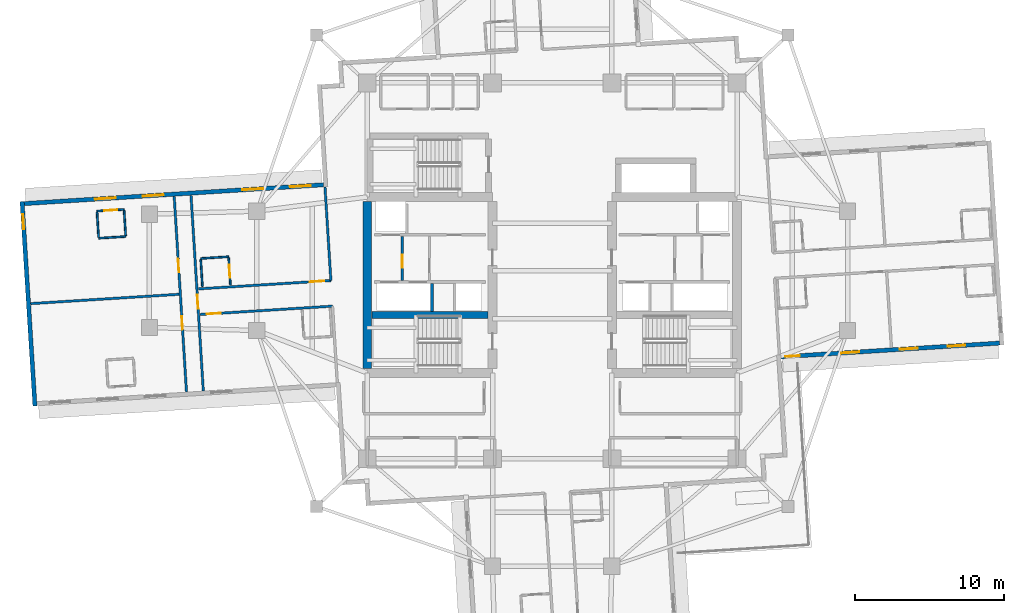
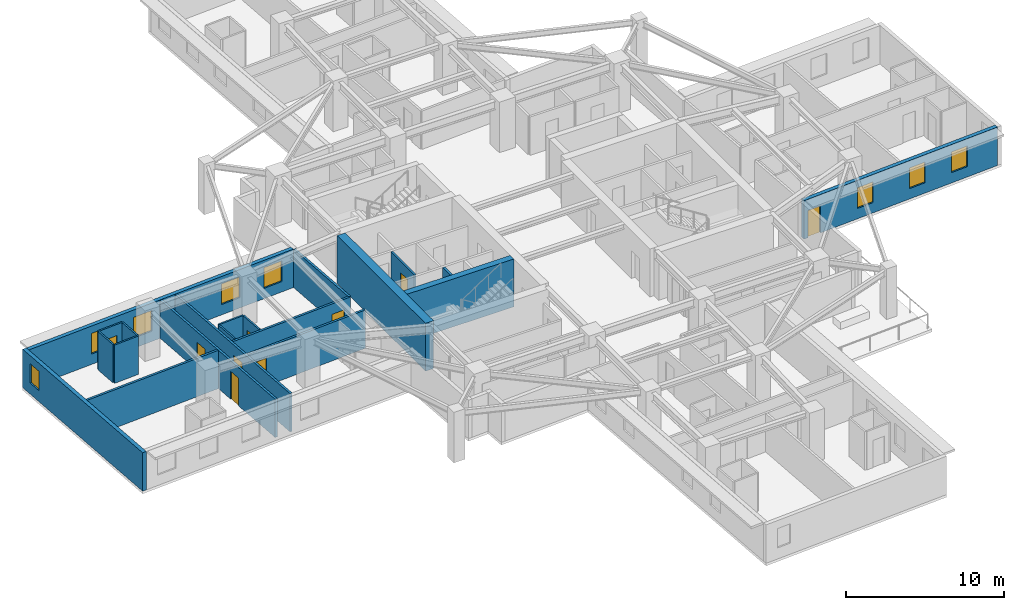
# One storey, part 5 of 14: 20 walls, 9 doors, 8 windows, 17 openings.
"""IFC4 building model written with IfcOpenShell, lengths in metres."""

from ifc_helpers import new_model, si_unit, direction, frame, frame_2d, origin, place, context, subcontext, project, spatial, rectangle, extrude, material, layer, layer_set, type_object, element, fill, save


model = new_model("IFC4")

# Units and contexts
model_context = context("Model", 3, precision=1e-05, world=origin(), true_north=direction((0.0, 1.0)))
body_context = subcontext(model_context, "Body", "Model", "MODEL_VIEW")
ifc_project = project(units=[si_unit("LENGTHUNIT", "METRE"), si_unit("AREAUNIT", "SQUARE_METRE"), si_unit("VOLUMEUNIT", "CUBIC_METRE"), si_unit("PLANEANGLEUNIT", "RADIAN"), si_unit("MASSUNIT", "GRAM", prefix="KILO")], contexts=[model_context])

# Site, building, storey
site_placement = place(None, origin())
site = spatial("IfcSite", under=ifc_project, at=site_placement, CompositionType="ELEMENT")
building_placement = place(site_placement, origin())
building = spatial("IfcBuilding", under=site, at=building_placement, Name="Qingluan Cross Belvedere", CompositionType="ELEMENT")
storey_placement = place(building_placement, frame((0.0, 0.0, 120.300048828125)))
storey = spatial("IfcBuildingStorey", under=building, at=storey_placement, Name="L30", CompositionType="ELEMENT", Elevation=120.300048828125)

# Walls
ifc_material_1 = material(Name="Concrete C50", Category="concrete")
ifc_layer_1 = layer(ifc_material_1, 0.449951171875, Name="CoreShearWall_450")
ifc_layer_set_1 = layer_set([ifc_layer_1], Name="Concrete C50")
wall_type_1 = type_object("IfcWallType", Name="CoreShearWall_450", PredefinedType="SHEAR", material=ifc_layer_set_1)
wall_1_placement = place(storey_placement, frame((-12.094970703125, -2.9599609375, 0.0), z_axis=(0.0, 0.0, 1.0), x_axis=(1.0, 0.0, 0.0)))
element("IfcWall", 1, at=wall_1_placement, inside=storey, type_object=wall_type_1, Name="Split core W shear wall L30-M", PredefinedType="SHEAR", context=body_context, shape_type="SweptSolid", body=[
    extrude(rectangle(XDim=7.7900390625, YDim=0.449951171875, at=frame_2d((3.89501953125, 0.0))), origin(), (0.0, 0.0, 1.0), 3.699951171875),
])
ifc_material_2 = material(Name="Concrete C60", Category="concrete")
ifc_layer_2 = layer(ifc_material_2, 0.60009765625, Name="CoreShearWall_600")
ifc_layer_set_2 = layer_set([ifc_layer_2], Name="Concrete C60")
wall_type_2 = type_object("IfcWallType", Name="CoreShearWall_600", PredefinedType="SHEAR", material=ifc_layer_set_2)
wall_2_placement = place(storey_placement, frame((-12.39990234375, -6.544921875, 0.0), z_axis=(0.0, 0.0, 1.0), x_axis=(0.0, 1.0, 0.0)))
element("IfcWall", 2, at=wall_2_placement, inside=storey, type_object=wall_type_2, Name="Split core W shear wall L30-W", PredefinedType="SHEAR", context=body_context, shape_type="SweptSolid", body=[
    extrude(rectangle(XDim=11.18994140625, YDim=0.60009765625, at=frame_2d((5.594970703125, 0.0))), origin(), (0.0, 0.0, 1.0), 3.699951171875),
])

# Wall, opening, door
ifc_material_3 = material(Name="Gypsum plasterboard on steel stud acoustic partition", Category="steel")
ifc_layer_3 = layer(ifc_material_3, 0.159912109375, Name="CorridorPartition_160")
ifc_layer_set_3 = layer_set([ifc_layer_3], Name="Gypsum plasterboard on steel stud acoustic partition")
wall_type_3 = type_object("IfcWallType", Name="CorridorPartition_160", PredefinedType="PARTITIONING", material=ifc_layer_set_3)
wall_3_placement = place(storey_placement, frame((-10.050048828125, -0.652099609375, 0.0), z_axis=(0.0, 0.0, 1.0), x_axis=(0.0, 1.0, 0.0)))
wall_3 = element("IfcWall", 3, at=wall_3_placement, inside=storey, type_object=wall_type_3, Name="Partition L30:wv", PredefinedType="PARTITIONING", context=body_context, shape_type="SweptSolid", body=[
    extrude(rectangle(XDim=2.962158203125, YDim=0.139892578125, at=frame_2d((1.48095703125, 0.0))), origin(), (0.0, 0.0, 1.0), 2.9599609375),
])
opening_1_placement = place(wall_3_placement, frame((0.85009765625, 0.0, 0.0)))
opening_1 = element("IfcOpeningElement", 4, at=opening_1_placement, cuts=wall_3, Name="Opening FD-B10", PredefinedType="OPENING", context=body_context, shape_type="SweptSolid", body=[
    extrude(rectangle(XDim=0.8798828125, YDim=2.10009765625, at=frame_2d((0.43994140625, 1.050048828125))), frame((0.0, 0.079833984375, 0.0), z_axis=(0.0, -1.0, 0.0), x_axis=(1.0, 0.0, 0.0)), (0.0, 0.0, 1.0), 0.159912109375),
])
ifc_material_4 = material(Name="Steel Class B service fire door", Category="steel")
door_type_1 = type_object("IfcDoorType", Name="RiserServiceFireDoor_FDB", OperationType="NOTDEFINED", PredefinedType="DOOR", material=ifc_material_4)
door_1_placement = place(opening_1_placement, origin())
door_1 = element("IfcDoor", 5, at=door_1_placement, inside=storey, type_object=door_type_1, Name="Service closet inner door L30", OperationType="SINGLE_SWING_LEFT", OverallHeight=2.10009765625, OverallWidth=0.8798828125, PredefinedType="DOOR", context=body_context, shape_type="SweptSolid", body=[
    extrude(rectangle(XDim=0.8798828125, YDim=2.10009765625, at=frame_2d((0.43994140625, 1.050048828125))), frame((0.0, 0.02490234375, 0.0), z_axis=(0.0, -1.0, 0.0), x_axis=(1.0, 0.0, 0.0)), (0.0, 0.0, 1.0), 0.050048828125),
])
fill(opening_1, door_1)

wall_4_placement = place(storey_placement, frame((-14.83837890625, -0.653076171875, 0.0), z_axis=(0.0, 0.0, 1.0), x_axis=(-0.998026662113, -0.062791573569, 0.0)))
wall_4 = element("IfcWall", 6, at=wall_4_placement, inside=storey, type_object=wall_type_3, Name="Partition L30:W:c0", PredefinedType="PARTITIONING", context=body_context, shape_type="SweptSolid", body=[
    extrude(rectangle(XDim=8.89990234375, YDim=0.159912109375, at=frame_2d((4.449951171875, 0.0))), origin(), (0.0, 0.0, 1.0), 2.9599609375),
])
opening_2_placement = place(wall_4_placement, frame((0.449951171875, 0.0, 0.0)))
opening_2 = element("IfcOpeningElement", 7, at=opening_2_placement, cuts=wall_4, Name="Opening GD-10", PredefinedType="OPENING", context=body_context, shape_type="SweptSolid", body=[
    extrude(rectangle(XDim=0.9599609375, YDim=2.14990234375, at=frame_2d((0.47998046875, 1.074951171875))), frame((0.0, 0.08984375, 0.0), z_axis=(0.0, -1.0, 0.0), x_axis=(1.0, 0.0, 0.0)), (0.0, 0.0, 1.0), 0.179931640625),
])
ifc_material_5 = material(Name="Timber oak fire-rated acoustic guestroom door", Category="wood")
door_type_2 = type_object("IfcDoorType", Name="GuestEntryDoor_FD60", OperationType="NOTDEFINED", PredefinedType="DOOR", material=ifc_material_5)
door_2_placement = place(opening_2_placement, origin())
door_2 = element("IfcDoor", 8, at=door_2_placement, inside=storey, type_object=door_type_2, Name="Guest entry fire door 3005", OperationType="SINGLE_SWING_RIGHT", OverallHeight=2.14990234375, OverallWidth=0.9599609375, PredefinedType="DOOR", context=body_context, shape_type="SweptSolid", body=[
    extrude(rectangle(XDim=0.9599609375, YDim=2.14990234375, at=frame_2d((0.47998046875, 1.074951171875))), frame((0.0, 0.02490234375, 0.0), z_axis=(0.0, -1.0, 0.0), x_axis=(1.0, 0.0, 0.0)), (0.0, 0.0, 1.0), 0.050048828125),
])
fill(opening_2, door_2)

# Wall
wall_5_placement = place(storey_placement, frame((-14.83837890625, -0.653076171875, 0.0), z_axis=(0.0, 0.0, 1.0), x_axis=(-0.062779270337, 0.998027436104, 0.0)))
element("IfcWall", 9, at=wall_5_placement, inside=storey, type_object=wall_type_3, Name="Partition L30:W:s0", PredefinedType="PARTITIONING", context=body_context, shape_type="SweptSolid", body=[
    extrude(rectangle(XDim=6.292236328125, YDim=0.159912109375, at=frame_2d((3.14599609375, 0.0))), origin(), (0.0, 0.0, 1.0), 2.9599609375),
])

# Wall, opening, door
wall_6_placement = place(storey_placement, frame((-14.730224609375, -2.36962890625, 0.0), z_axis=(0.0, 0.0, 1.0), x_axis=(-0.998026770267, -0.062789854524, 0.0)))
wall_6 = element("IfcWall", 10, at=wall_6_placement, inside=storey, type_object=wall_type_3, Name="Partition L30:W:c1", PredefinedType="PARTITIONING", context=body_context, shape_type="SweptSolid", body=[
    extrude(rectangle(XDim=8.900146484375, YDim=0.159912109375, at=frame_2d((4.4501953125, 0.0))), origin(), (0.0, 0.0, 1.0), 2.9599609375),
])
opening_3_placement = place(wall_6_placement, frame((7.5, 0.0, 0.0)))
opening_3 = element("IfcOpeningElement", 11, at=opening_3_placement, cuts=wall_6, Name="Opening GD-10", PredefinedType="OPENING", context=body_context, shape_type="SweptSolid", body=[
    extrude(rectangle(XDim=0.9599609375, YDim=2.14990234375, at=frame_2d((0.47998046875, 1.074951171875))), frame((0.0, 0.08984375, 0.0), z_axis=(0.0, -1.0, 0.0), x_axis=(1.0, 0.0, 0.0)), (0.0, 0.0, 1.0), 0.179931640625),
])
door_3_placement = place(opening_3_placement, origin())
door_3 = element("IfcDoor", 12, at=door_3_placement, inside=storey, type_object=door_type_2, Name="Guest entry fire door 3006", OperationType="SINGLE_SWING_RIGHT", OverallHeight=2.14990234375, OverallWidth=0.9599609375, PredefinedType="DOOR", context=body_context, shape_type="SweptSolid", body=[
    extrude(rectangle(XDim=0.9599609375, YDim=2.14990234375, at=frame_2d((0.47998046875, 1.074951171875))), frame((0.0, 0.02490234375, 0.0), z_axis=(0.0, -1.0, 0.0), x_axis=(1.0, 0.0, 0.0)), (0.0, 0.0, 1.0), 0.050048828125),
])
fill(opening_3, door_3)

wall_7_placement = place(storey_placement, frame((-23.390380859375, -8.056640625, 0.0), z_axis=(0.0, 0.0, 1.0), x_axis=(-0.062781861182, 0.998027273128, 0.0)))
wall_7 = element("IfcWall", 13, at=wall_7_placement, inside=storey, type_object=wall_type_3, Name="Partition L30:Wcap:in", PredefinedType="PARTITIONING", context=body_context, shape_type="SweptSolid", body=[
    extrude(rectangle(XDim=13.143798828125, YDim=0.159912109375, at=frame_2d((6.57177734375, 0.0))), origin(), (0.0, 0.0, 1.0), 2.9599609375),
])
opening_4_placement = place(wall_7_placement, frame((5.511962890625, 0.0, 0.0)))
opening_4 = element("IfcOpeningElement", 14, at=opening_4_placement, cuts=wall_7, Name="Opening GD-10", PredefinedType="OPENING", context=body_context, shape_type="SweptSolid", body=[
    extrude(rectangle(XDim=0.9599609375, YDim=2.14990234375, at=frame_2d((0.47998046875, 1.074951171875))), frame((0.0, 0.08984375, 0.0), z_axis=(0.0, -1.0, 0.0), x_axis=(1.0, 0.0, 0.0)), (0.0, 0.0, 1.0), 0.179931640625),
])
door_4_placement = place(opening_4_placement, origin())
door_4 = element("IfcDoor", 15, at=door_4_placement, inside=storey, type_object=door_type_2, Name="Corner gallery fire door L30W", OperationType="SINGLE_SWING_LEFT", OverallHeight=2.14990234375, OverallWidth=0.9599609375, PredefinedType="DOOR", context=body_context, shape_type="SweptSolid", body=[
    extrude(rectangle(XDim=0.9599609375, YDim=2.14990234375, at=frame_2d((0.47998046875, 1.074951171875))), frame((0.0, 0.02490234375, 0.0), z_axis=(0.0, -1.0, 0.0), x_axis=(1.0, 0.0, 0.0)), (0.0, 0.0, 1.0), 0.050048828125),
])
fill(opening_4, door_4)

# Wall, openings, doors
wall_8_placement = place(storey_placement, frame((-24.51806640625, -8.12744140625, 0.0), z_axis=(0.0, 0.0, 1.0), x_axis=(-0.062800362452, 0.998026109115, 0.0)))
wall_8 = element("IfcWall", 16, at=wall_8_placement, inside=storey, type_object=wall_type_3, Name="Partition L30:Wcap:vw", PredefinedType="PARTITIONING", context=body_context, shape_type="SweptSolid", body=[
    extrude(rectangle(XDim=13.143798828125, YDim=0.159912109375, at=frame_2d((6.57177734375, 0.0))), origin(), (0.0, 0.0, 1.0), 2.9599609375),
])
opening_5_placement = place(wall_8_placement, frame((4.201904296875, 0.0, 0.0)))
opening_5 = element("IfcOpeningElement", 17, at=opening_5_placement, cuts=wall_8, Name="Opening GD-09", PredefinedType="OPENING", context=body_context, shape_type="SweptSolid", body=[
    extrude(rectangle(XDim=0.89990234375, YDim=2.14990234375, at=frame_2d((0.449951171875, 1.074951171875))), frame((0.0, 0.08984375, 0.0), z_axis=(0.0, -1.0, 0.0), x_axis=(1.0, 0.0, 0.0)), (0.0, 0.0, 1.0), 0.179931640625),
])
opening_6_placement = place(wall_8_placement, frame((8.0419921875, 0.0, 0.0)))
opening_6 = element("IfcOpeningElement", 18, at=opening_6_placement, cuts=wall_8, Name="Opening GD-09", PredefinedType="OPENING", context=body_context, shape_type="SweptSolid", body=[
    extrude(rectangle(XDim=0.89990234375, YDim=2.14990234375, at=frame_2d((0.449951171875, 1.074951171875))), frame((0.0, 0.08984375, 0.0), z_axis=(0.0, -1.0, 0.0), x_axis=(1.0, 0.0, 0.0)), (0.0, 0.0, 1.0), 0.179931640625),
])
ifc_material_6 = material(Name="Timber oak fire-rated corner room door", Category="wood")
door_type_3 = type_object("IfcDoorType", Name="CornerRoomDoor_FD60", OperationType="NOTDEFINED", PredefinedType="DOOR", material=ifc_material_6)
door_5_placement = place(opening_5_placement, origin())
door_5 = element("IfcDoor", 19, at=door_5_placement, inside=storey, type_object=door_type_3, Name="Deluxe corner room door L30W1", OperationType="SINGLE_SWING_RIGHT", OverallHeight=2.14990234375, OverallWidth=0.89990234375, PredefinedType="DOOR", context=body_context, shape_type="SweptSolid", body=[
    extrude(rectangle(XDim=0.89990234375, YDim=2.14990234375, at=frame_2d((0.449951171875, 1.074951171875))), frame((0.0, 0.02490234375, 0.0), z_axis=(0.0, -1.0, 0.0), x_axis=(1.0, 0.0, 0.0)), (0.0, 0.0, 1.0), 0.050048828125),
])
fill(opening_5, door_5)
door_6_placement = place(opening_6_placement, origin())
door_6 = element("IfcDoor", 20, at=door_6_placement, inside=storey, type_object=door_type_3, Name="Deluxe corner room door L30W2", OperationType="SINGLE_SWING_LEFT", OverallHeight=2.14990234375, OverallWidth=0.89990234375, PredefinedType="DOOR", context=body_context, shape_type="SweptSolid", body=[
    extrude(rectangle(XDim=0.89990234375, YDim=2.14990234375, at=frame_2d((0.449951171875, 1.074951171875))), frame((0.0, 0.02490234375, 0.0), z_axis=(0.0, -1.0, 0.0), x_axis=(1.0, 0.0, 0.0)), (0.0, 0.0, 1.0), 0.050048828125),
])
fill(opening_6, door_6)

# Wall
wall_9_placement = place(storey_placement, frame((-25.0205078125, -1.57421875, 0.0), z_axis=(0.0, 0.0, 1.0), x_axis=(-0.998026938685, -0.06278717751, 0.0)))
element("IfcWall", 21, at=wall_9_placement, inside=storey, type_object=wall_type_3, Name="Partition L30:Wcap:mid", PredefinedType="PARTITIONING", context=body_context, shape_type="SweptSolid", body=[
    extrude(rectangle(XDim=9.962158203125, YDim=0.159912109375, at=frame_2d((4.98095703125, 0.0))), origin(), (0.0, 0.0, 1.0), 2.9599609375),
])

# Wall, opening, door
ifc_material_7 = material(Name="Moisture-resistant gypsum board lining")
ifc_layer_4 = layer(ifc_material_7, 0.1201171875, Name="EnsuiteWetPartition_120")
ifc_layer_set_4 = layer_set([ifc_layer_4], Name="Moisture-resistant gypsum board lining")
wall_type_4 = type_object("IfcWallType", Name="EnsuiteWetPartition_120", PredefinedType="PARTITIONING", material=ifc_layer_set_4)
wall_10_placement = place(storey_placement, frame((-21.57373046875, -0.9365234375, 0.0), z_axis=(0.0, 0.0, 1.0), x_axis=(-0.062779145668, 0.998027443946, 0.0)))
wall_10 = element("IfcWall", 22, at=wall_10_placement, inside=storey, type_object=wall_type_4, Name="Partition L30:W:bs0_0", PredefinedType="PARTITIONING", context=body_context, shape_type="SweptSolid", body=[
    extrude(rectangle(XDim=1.820068359375, YDim=0.1201171875, at=frame_2d((0.91015625, 0.0))), origin(), (0.0, 0.0, 1.0), 2.9599609375),
])
opening_7_placement = place(wall_10_placement, frame((0.469970703125, 0.0, 0.0)))
opening_7 = element("IfcOpeningElement", 23, at=opening_7_placement, cuts=wall_10, Name="Opening BD-09", PredefinedType="OPENING", context=body_context, shape_type="SweptSolid", body=[
    extrude(rectangle(XDim=0.8798828125, YDim=2.10009765625, at=frame_2d((0.43994140625, 1.050048828125))), frame((0.0, 0.070068359375, 0.0), z_axis=(0.0, -1.0, 0.0), x_axis=(1.0, 0.0, 0.0)), (0.0, 0.0, 1.0), 0.14013671875),
])
ifc_material_8 = material(Name="Moisture-sealed timber en-suite door", Category="wood")
door_type_4 = type_object("IfcDoorType", Name="BathroomDoor_880", OperationType="NOTDEFINED", PredefinedType="DOOR", material=ifc_material_8)
door_7_placement = place(opening_7_placement, origin())
door_7 = element("IfcDoor", 24, at=door_7_placement, inside=storey, type_object=door_type_4, Name="Bathroom door 3005", OperationType="SINGLE_SWING_LEFT", OverallHeight=2.10009765625, OverallWidth=0.8798828125, PredefinedType="DOOR", context=body_context, shape_type="SweptSolid", body=[
    extrude(rectangle(XDim=0.8798828125, YDim=2.10009765625, at=frame_2d((0.43994140625, 1.050048828125))), frame((0.0, 0.02490234375, 0.0), z_axis=(0.0, -1.0, 0.0), x_axis=(1.0, 0.0, 0.0)), (0.0, 0.0, 1.0), 0.050048828125),
])
fill(opening_7, door_7)

# Walls
wall_11_placement = place(storey_placement, frame((-23.4501953125, -1.054443359375, 0.0), z_axis=(0.0, 0.0, 1.0), x_axis=(-0.062645529196, 0.998035839873, 0.0)))
element("IfcWall", 25, at=wall_11_placement, inside=storey, type_object=wall_type_4, Name="Partition L30:W:bw0_0", PredefinedType="PARTITIONING", context=body_context, shape_type="SweptSolid", body=[
    extrude(rectangle(XDim=1.820068359375, YDim=0.1201171875, at=frame_2d((0.91015625, 0.0))), origin(), (0.0, 0.0, 1.0), 2.9599609375),
])
wall_12_placement = place(storey_placement, frame((-21.692138671875, 0.94482421875, 0.0), z_axis=(0.0, 0.0, 1.0), x_axis=(-0.998030789148, -0.062725942896, 0.0)))
element("IfcWall", 26, at=wall_12_placement, inside=storey, type_object=wall_type_4, Name="Partition L30:W:bn0_0", PredefinedType="PARTITIONING", context=body_context, shape_type="SweptSolid", body=[
    extrude(rectangle(XDim=1.8798828125, YDim=0.1201171875, at=frame_2d((0.93994140625, 0.0))), origin(), (0.0, 0.0, 1.0), 2.9599609375),
])
for number, where, z_axis, x_axis, name in (
    (27, (-28.594482421875, 2.359130859375, 0.0), (0.0, 0.0, 1.0), (-0.062896802269, 0.998020036003, 0.0), "Partition L30:Wcap:b2a"),
    (28, (-30.410888671875, 2.244873046875, 0.0), (0.0, 0.0, 1.0), (-0.06275376841, 0.998029039933, 0.0), "Partition L30:Wcap:b2b"),
):
    element("IfcWall", number, at=place(storey_placement, frame(where, z_axis=z_axis, x_axis=x_axis)), inside=storey, type_object=wall_type_4, Name=name, PredefinedType="PARTITIONING", context=body_context, shape_type="SweptSolid", body=[
        extrude(rectangle(XDim=1.7001953125, YDim=0.1201171875, at=frame_2d((0.85009765625, 0.0))), origin(), (0.0, 0.0, 1.0), 2.9599609375),
    ])
wall_13_placement = place(storey_placement, frame((-28.5908203125, 2.29931640625, 0.0), z_axis=(0.0, 0.0, 1.0), x_axis=(-0.998027443946, -0.062779145668, 0.0)))
element("IfcWall", 29, at=wall_13_placement, inside=storey, type_object=wall_type_4, Name="Partition L30:Wcap:b2s", PredefinedType="PARTITIONING", context=body_context, shape_type="SweptSolid", body=[
    extrude(rectangle(XDim=1.820068359375, YDim=0.1201171875, at=frame_2d((0.91015625, 0.0))), origin(), (0.0, 0.0, 1.0), 2.9599609375),
])

# Wall, opening, door
wall_14_placement = place(storey_placement, frame((-28.705078125, 4.11572265625, 0.0), z_axis=(0.0, 0.0, 1.0), x_axis=(-0.998027443946, -0.062779145668, 0.0)))
wall_14 = element("IfcWall", 30, at=wall_14_placement, inside=storey, type_object=wall_type_4, Name="Partition L30:Wcap:b2n", PredefinedType="PARTITIONING", context=body_context, shape_type="SweptSolid", body=[
    extrude(rectangle(XDim=1.820068359375, YDim=0.1201171875, at=frame_2d((0.91015625, 0.0))), origin(), (0.0, 0.0, 1.0), 2.9599609375),
])
opening_8_placement = place(wall_14_placement, frame((0.449951171875, 0.0, 0.0)))
opening_8 = element("IfcOpeningElement", 31, at=opening_8_placement, cuts=wall_14, Name="Opening BD-09", PredefinedType="OPENING", context=body_context, shape_type="SweptSolid", body=[
    extrude(rectangle(XDim=0.8798828125, YDim=2.10009765625, at=frame_2d((0.43994140625, 1.050048828125))), frame((0.0, 0.070068359375, 0.0), z_axis=(0.0, -1.0, 0.0), x_axis=(1.0, 0.0, 0.0)), (0.0, 0.0, 1.0), 0.14013671875),
])
door_8_placement = place(opening_8_placement, origin())
door_8 = element("IfcDoor", 32, at=door_8_placement, inside=storey, type_object=door_type_4, Name="En-suite bathroom door L30W2", OperationType="SINGLE_SWING_RIGHT", OverallHeight=2.10009765625, OverallWidth=0.8798828125, PredefinedType="DOOR", context=body_context, shape_type="SweptSolid", body=[
    extrude(rectangle(XDim=0.8798828125, YDim=2.10009765625, at=frame_2d((0.43994140625, 1.050048828125))), frame((0.0, 0.02490234375, 0.0), z_axis=(0.0, -1.0, 0.0), x_axis=(1.0, 0.0, 0.0)), (0.0, 0.0, 1.0), 0.050048828125),
])
fill(opening_8, door_8)

# Wall, openings, windows, door
ifc_material_9 = material(Name="Precast concrete C45", Category="concrete")
ifc_layer_5 = layer(ifc_material_9, 0.280029296875, Name="PrecastFacadeWall_280")
ifc_layer_set_5 = layer_set([ifc_layer_5], Name="Precast concrete C45")
wall_type_5 = type_object("IfcWallType", Name="PrecastFacadeWall_280", PredefinedType="STANDARD", material=ifc_layer_set_5)
wall_15_placement = place(storey_placement, frame((15.33251953125, -5.7685546875, 0.0), z_axis=(0.0, 0.0, 1.0), x_axis=(0.998027423805, 0.062779465852, 0.0)))
wall_15 = element("IfcWall", 33, at=wall_15_placement, inside=storey, type_object=wall_type_5, Name="Facade wall L30-EA", PredefinedType="STANDARD", context=body_context, shape_type="SweptSolid", body=[
    extrude(rectangle(XDim=14.699951171875, YDim=0.280029296875, at=frame_2d((7.35009765625, 0.0))), origin(), (0.0, 0.0, 1.0), 2.969970703125),
])
opening_9_placement = place(wall_15_placement, frame((4.050048828125, 0.0, 0.800048828125)))
opening_9 = element("IfcOpeningElement", 34, at=opening_9_placement, cuts=wall_15, Name="Opening W-02", PredefinedType="OPENING", context=body_context, shape_type="SweptSolid", body=[
    extrude(rectangle(XDim=1.199951171875, YDim=1.60009765625, at=frame_2d((0.60009765625, 0.800048828125))), frame((0.0, 0.14990234375, 0.0), z_axis=(0.0, -1.0, 0.0), x_axis=(1.0, 0.0, 0.0)), (0.0, 0.0, 1.0), 0.300048828125),
])
opening_10_placement = place(wall_15_placement, frame((8.0, 0.0, 0.800048828125)))
opening_10 = element("IfcOpeningElement", 35, at=opening_10_placement, cuts=wall_15, Name="Opening W-02", PredefinedType="OPENING", context=body_context, shape_type="SweptSolid", body=[
    extrude(rectangle(XDim=1.199951171875, YDim=1.60009765625, at=frame_2d((0.60009765625, 0.800048828125))), frame((0.0, 0.14990234375, 0.0), z_axis=(0.0, -1.0, 0.0), x_axis=(1.0, 0.0, 0.0)), (0.0, 0.0, 1.0), 0.300048828125),
])
opening_11_placement = place(wall_15_placement, frame((11.199951171875, 0.0, 0.800048828125)))
opening_11 = element("IfcOpeningElement", 36, at=opening_11_placement, cuts=wall_15, Name="Opening W-02", PredefinedType="OPENING", context=body_context, shape_type="SweptSolid", body=[
    extrude(rectangle(XDim=1.199951171875, YDim=1.60009765625, at=frame_2d((0.60009765625, 0.800048828125))), frame((0.0, 0.14990234375, 0.0), z_axis=(0.0, -1.0, 0.0), x_axis=(1.0, 0.0, 0.0)), (0.0, 0.0, 1.0), 0.300048828125),
])
opening_12_placement = place(wall_15_placement, frame((0.300048828125, 0.0, 0.0)))
opening_12 = element("IfcOpeningElement", 37, at=opening_12_placement, cuts=wall_15, Name="Opening WD-10", PredefinedType="OPENING", context=body_context, shape_type="SweptSolid", body=[
    extrude(rectangle(XDim=0.9599609375, YDim=2.10009765625, at=frame_2d((0.47998046875, 1.050048828125))), frame((0.0, 0.14990234375, 0.0), z_axis=(0.0, -1.0, 0.0), x_axis=(1.0, 0.0, 0.0)), (0.0, 0.0, 1.0), 0.300048828125),
])
ifc_material_10 = material(Name="Thermally broken triple Low-E glass in aluminium frame", Category="aluminium")
window_type_1 = type_object("IfcWindowType", Name="TriRibbonWin_1200x1600", PartitioningType="SINGLE_PANEL", PredefinedType="WINDOW", material=ifc_material_10)
window_1_placement = place(opening_9_placement, origin())
window_1 = element("IfcWindow", 38, at=window_1_placement, inside=storey, type_object=window_type_1, Name="Ribbon window L30-EA-2", OverallHeight=1.60009765625, OverallWidth=1.199951171875, PartitioningType="SINGLE_PANEL", PredefinedType="WINDOW", context=body_context, shape_type="SweptSolid", body=[
    extrude(rectangle(XDim=1.199951171875, YDim=1.60009765625, at=frame_2d((0.60009765625, 0.800048828125))), frame((0.0, 0.030029296875, 0.0), z_axis=(0.0, -1.0, 0.0), x_axis=(1.0, 0.0, 0.0)), (0.0, 0.0, 1.0), 0.06005859375),
])
fill(opening_9, window_1)
window_2_placement = place(opening_10_placement, origin())
window_2 = element("IfcWindow", 39, at=window_2_placement, inside=storey, type_object=window_type_1, Name="Ribbon window L30-EA-3", OverallHeight=1.60009765625, OverallWidth=1.199951171875, PartitioningType="SINGLE_PANEL", PredefinedType="WINDOW", context=body_context, shape_type="SweptSolid", body=[
    extrude(rectangle(XDim=1.199951171875, YDim=1.60009765625, at=frame_2d((0.60009765625, 0.800048828125))), frame((0.0, 0.030029296875, 0.0), z_axis=(0.0, -1.0, 0.0), x_axis=(1.0, 0.0, 0.0)), (0.0, 0.0, 1.0), 0.06005859375),
])
fill(opening_10, window_2)
window_3_placement = place(opening_11_placement, origin())
window_3 = element("IfcWindow", 40, at=window_3_placement, inside=storey, type_object=window_type_1, Name="Ribbon window L30-EA-4", OverallHeight=1.60009765625, OverallWidth=1.199951171875, PartitioningType="SINGLE_PANEL", PredefinedType="WINDOW", context=body_context, shape_type="SweptSolid", body=[
    extrude(rectangle(XDim=1.199951171875, YDim=1.60009765625, at=frame_2d((0.60009765625, 0.800048828125))), frame((0.0, 0.030029296875, 0.0), z_axis=(0.0, -1.0, 0.0), x_axis=(1.0, 0.0, 0.0)), (0.0, 0.0, 1.0), 0.06005859375),
])
fill(opening_11, window_3)
ifc_material_11 = material(Name="Thermally broken aluminium and Low-E glass", Category="aluminium")
door_type_5 = type_object("IfcDoorType", Name="WinterGardenDoor_096", OperationType="NOTDEFINED", PredefinedType="DOOR", material=ifc_material_11)
door_9_placement = place(opening_12_placement, origin())
door_9 = element("IfcDoor", 41, at=door_9_placement, inside=storey, type_object=door_type_5, Name="Outdoor terrace access door L30-spi", OperationType="SINGLE_SWING_RIGHT", OverallHeight=2.10009765625, OverallWidth=0.9599609375, PredefinedType="DOOR", context=body_context, shape_type="SweptSolid", body=[
    extrude(rectangle(XDim=0.9599609375, YDim=2.10009765625, at=frame_2d((0.47998046875, 1.050048828125))), frame((0.0, 0.02490234375, 0.0), z_axis=(0.0, -1.0, 0.0), x_axis=(1.0, 0.0, 0.0)), (0.0, 0.0, 1.0), 0.050048828125),
])
fill(opening_12, door_9)

# Wall, openings, windows
wall_16_placement = place(storey_placement, frame((-15.33251953125, 5.7685546875, 0.0), z_axis=(0.0, 0.0, 1.0), x_axis=(-0.998027116198, -0.062784355807, 0.0)))
wall_16 = element("IfcWall", 42, at=wall_16_placement, inside=storey, type_object=wall_type_5, Name="Facade wall L30-WA", PredefinedType="STANDARD", context=body_context, shape_type="SweptSolid", body=[
    extrude(rectangle(XDim=20.099853515625, YDim=0.280029296875, at=frame_2d((10.0498046875, 0.0))), origin(), (0.0, 0.0, 1.0), 2.969970703125),
])
opening_13_placement = place(wall_16_placement, frame((0.85009765625, 0.0, 0.800048828125)))
opening_13 = element("IfcOpeningElement", 43, at=opening_13_placement, cuts=wall_16, Name="Opening W-01", PredefinedType="OPENING", context=body_context, shape_type="SweptSolid", body=[
    extrude(rectangle(XDim=1.39990234375, YDim=1.60009765625, at=frame_2d((0.699951171875, 0.800048828125))), frame((0.0, 0.14990234375, 0.0), z_axis=(0.0, -1.0, 0.0), x_axis=(1.0, 0.0, 0.0)), (0.0, 0.0, 1.0), 0.300048828125),
])
opening_14_placement = place(wall_16_placement, frame((4.050048828125, 0.0, 0.800048828125)))
opening_14 = element("IfcOpeningElement", 44, at=opening_14_placement, cuts=wall_16, Name="Opening W-01", PredefinedType="OPENING", context=body_context, shape_type="SweptSolid", body=[
    extrude(rectangle(XDim=1.39990234375, YDim=1.60009765625, at=frame_2d((0.699951171875, 0.800048828125))), frame((0.0, 0.14990234375, 0.0), z_axis=(0.0, -1.0, 0.0), x_axis=(1.0, 0.0, 0.0)), (0.0, 0.0, 1.0), 0.300048828125),
])
opening_15_placement = place(wall_16_placement, frame((10.75, 0.0, 0.800048828125)))
opening_15 = element("IfcOpeningElement", 45, at=opening_15_placement, cuts=wall_16, Name="Opening W-01", PredefinedType="OPENING", context=body_context, shape_type="SweptSolid", body=[
    extrude(rectangle(XDim=1.39990234375, YDim=1.60009765625, at=frame_2d((0.699951171875, 0.800048828125))), frame((0.0, 0.14990234375, 0.0), z_axis=(0.0, -1.0, 0.0), x_axis=(1.0, 0.0, 0.0)), (0.0, 0.0, 1.0), 0.300048828125),
])
opening_16_placement = place(wall_16_placement, frame((13.949951171875, 0.0, 0.800048828125)))
opening_16 = element("IfcOpeningElement", 46, at=opening_16_placement, cuts=wall_16, Name="Opening W-01", PredefinedType="OPENING", context=body_context, shape_type="SweptSolid", body=[
    extrude(rectangle(XDim=1.39990234375, YDim=1.60009765625, at=frame_2d((0.699951171875, 0.800048828125))), frame((0.0, 0.14990234375, 0.0), z_axis=(0.0, -1.0, 0.0), x_axis=(1.0, 0.0, 0.0)), (0.0, 0.0, 1.0), 0.300048828125),
])
ifc_material_12 = material(Name="Thermally broken triple Low-E glass in aluminium frame", Category="aluminium")
window_type_2 = type_object("IfcWindowType", Name="TriRibbonWin_1400x1600", PartitioningType="SINGLE_PANEL", PredefinedType="WINDOW", material=ifc_material_12)
window_4_placement = place(opening_13_placement, origin())
window_4 = element("IfcWindow", 47, at=window_4_placement, inside=storey, type_object=window_type_2, Name="Ribbon window L30-WA-1", OverallHeight=1.60009765625, OverallWidth=1.39990234375, PartitioningType="SINGLE_PANEL", PredefinedType="WINDOW", context=body_context, shape_type="SweptSolid", body=[
    extrude(rectangle(XDim=1.39990234375, YDim=1.60009765625, at=frame_2d((0.699951171875, 0.800048828125))), frame((0.0, 0.030029296875, 0.0), z_axis=(0.0, -1.0, 0.0), x_axis=(1.0, 0.0, 0.0)), (0.0, 0.0, 1.0), 0.06005859375),
])
fill(opening_13, window_4)
window_5_placement = place(opening_14_placement, origin())
window_5 = element("IfcWindow", 48, at=window_5_placement, inside=storey, type_object=window_type_2, Name="Ribbon window L30-WA-2", OverallHeight=1.60009765625, OverallWidth=1.39990234375, PartitioningType="SINGLE_PANEL", PredefinedType="WINDOW", context=body_context, shape_type="SweptSolid", body=[
    extrude(rectangle(XDim=1.39990234375, YDim=1.60009765625, at=frame_2d((0.699951171875, 0.800048828125))), frame((0.0, 0.030029296875, 0.0), z_axis=(0.0, -1.0, 0.0), x_axis=(1.0, 0.0, 0.0)), (0.0, 0.0, 1.0), 0.06005859375),
])
fill(opening_14, window_5)
window_6_placement = place(opening_15_placement, origin())
window_6 = element("IfcWindow", 49, at=window_6_placement, inside=storey, type_object=window_type_2, Name="Ribbon window L30-WA-3", OverallHeight=1.60009765625, OverallWidth=1.39990234375, PartitioningType="SINGLE_PANEL", PredefinedType="WINDOW", context=body_context, shape_type="SweptSolid", body=[
    extrude(rectangle(XDim=1.39990234375, YDim=1.60009765625, at=frame_2d((0.699951171875, 0.800048828125))), frame((0.0, 0.030029296875, 0.0), z_axis=(0.0, -1.0, 0.0), x_axis=(1.0, 0.0, 0.0)), (0.0, 0.0, 1.0), 0.06005859375),
])
fill(opening_15, window_6)
window_7_placement = place(opening_16_placement, origin())
window_7 = element("IfcWindow", 50, at=window_7_placement, inside=storey, type_object=window_type_2, Name="Ribbon window L30-WA-4", OverallHeight=1.60009765625, OverallWidth=1.39990234375, PartitioningType="SINGLE_PANEL", PredefinedType="WINDOW", context=body_context, shape_type="SweptSolid", body=[
    extrude(rectangle(XDim=1.39990234375, YDim=1.60009765625, at=frame_2d((0.699951171875, 0.800048828125))), frame((0.0, 0.030029296875, 0.0), z_axis=(0.0, -1.0, 0.0), x_axis=(1.0, 0.0, 0.0)), (0.0, 0.0, 1.0), 0.06005859375),
])
fill(opening_16, window_7)

# Wall, opening, window
wall_17_placement = place(storey_placement, frame((-35.541259765625, 4.637451171875, 0.0), z_axis=(0.0, 0.0, 1.0), x_axis=(0.062797041623, -0.998026318072, 0.0)))
wall_17 = element("IfcWall", 51, at=wall_17_placement, inside=storey, type_object=wall_type_5, Name="Arm tip precast facade wall L30-W", PredefinedType="STANDARD", context=body_context, shape_type="SweptSolid", body=[
    extrude(rectangle(XDim=13.719970703125, YDim=0.280029296875, at=frame_2d((6.85986328125, 0.0))), origin(), (0.0, 0.0, 1.0), 2.969970703125),
])
opening_17_placement = place(wall_17_placement, frame((0.85009765625, 0.0, 0.85009765625)))
opening_17 = element("IfcOpeningElement", 52, at=opening_17_placement, cuts=wall_17, Name="Opening W-03", PredefinedType="OPENING", context=body_context, shape_type="SweptSolid", body=[
    extrude(rectangle(XDim=1.0, YDim=1.5, at=frame_2d((0.5, 0.75))), frame((0.0, 0.14990234375, 0.0), z_axis=(0.0, -1.0, 0.0), x_axis=(1.0, 0.0, 0.0)), (0.0, 0.0, 1.0), 0.300048828125),
])
ifc_material_13 = material(Name="Thermally broken triple Low-E glass in aluminium frame", Category="aluminium")
window_type_3 = type_object("IfcWindowType", Name="TriApexWin_1000x1500", PartitioningType="SINGLE_PANEL", PredefinedType="WINDOW", material=ifc_material_13)
window_8_placement = place(opening_17_placement, origin())
window_8 = element("IfcWindow", 53, at=window_8_placement, inside=storey, type_object=window_type_3, Name="Arm tip triangular window L30-W", OverallHeight=1.5, OverallWidth=1.0, PartitioningType="SINGLE_PANEL", PredefinedType="WINDOW", context=body_context, shape_type="SweptSolid", body=[
    extrude(rectangle(XDim=1.0, YDim=1.5, at=frame_2d((0.5, 0.75))), frame((0.0, 0.030029296875, 0.0), z_axis=(0.0, -1.0, 0.0), x_axis=(1.0, 0.0, 0.0)), (0.0, 0.0, 1.0), 0.06005859375),
])
fill(opening_17, window_8)

# Wall
ifc_material_14 = material(Name="Concrete C40", Category="concrete")
ifc_layer_6 = layer(ifc_material_14, 0.219970703125, Name="ShaftEnclosureWall_250")
ifc_layer_set_6 = layer_set([ifc_layer_6], Name="Concrete C40")
wall_type_6 = type_object("IfcWallType", Name="ShaftEnclosureWall_250", PredefinedType="SOLIDWALL", material=ifc_layer_set_6)
wall_18_placement = place(storey_placement, frame((-8.06005859375, -2.72998046875, 0.0), z_axis=(0.0, 0.0, 1.0), x_axis=(0.0, 1.0, 0.0)))
element("IfcWall", 54, at=wall_18_placement, inside=storey, type_object=wall_type_6, Name="Hoistway enclosure divider LP6E L30", PredefinedType="SOLIDWALL", context=body_context, shape_type="SweptSolid", body=[
    extrude(rectangle(XDim=1.889892578125, YDim=0.179931640625, at=frame_2d((0.94482421875, 0.0))), origin(), (0.0, 0.0, 1.0), 2.9599609375),
])

save(model, "model.ifc")
